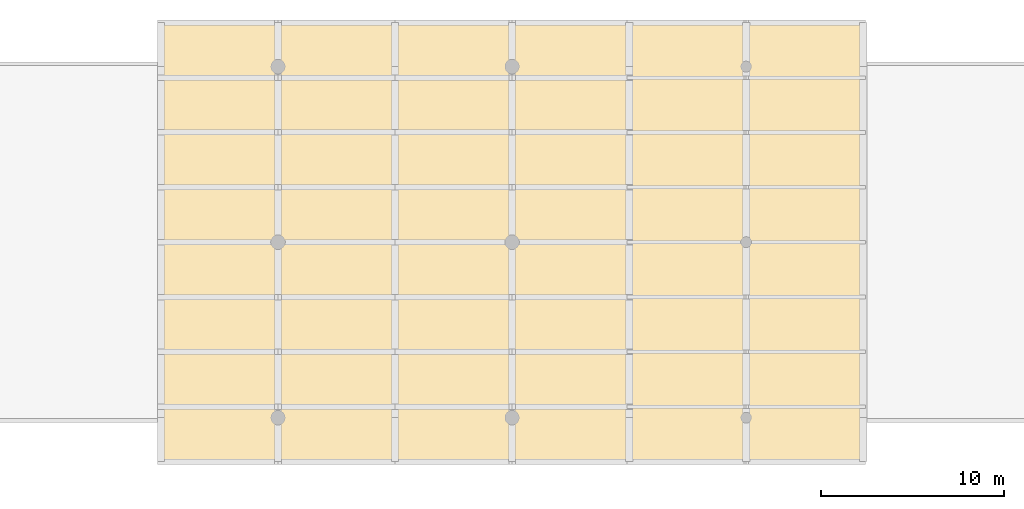
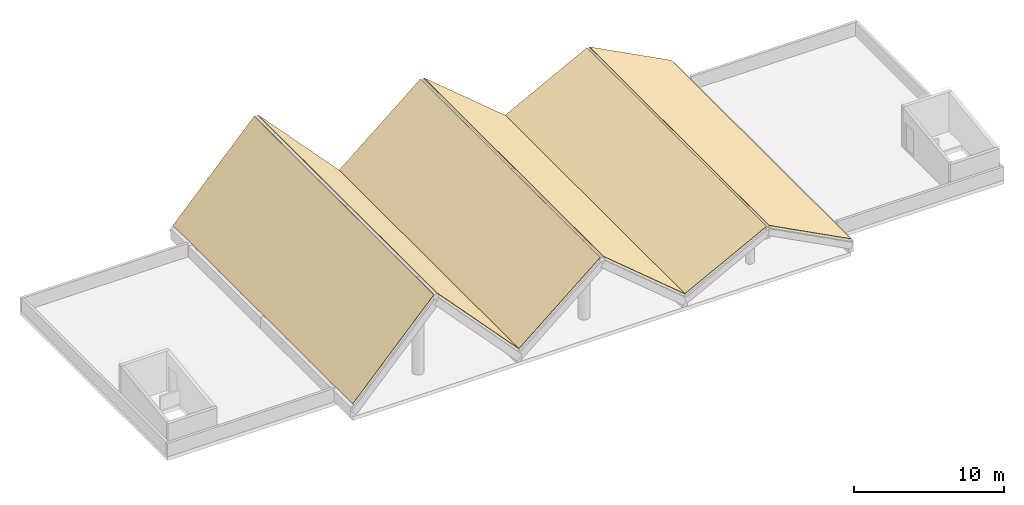
# One storey, part 3 of 3: 6 coverings.
"""IFC4 building model written with IfcOpenShell, lengths in metres."""

from ifc_helpers import new_model, si_unit, direction, frame, origin, place, context, subcontext, project, spatial, polyline, outline, extrude, material, layer, layer_set, type_object, element, save


model = new_model("IFC4")

# Units and contexts
model_context = context("Model", 3, precision=1e-05, world=origin(), true_north=direction((0.0, 1.0)))
body_context = subcontext(model_context, "Body", "Model", "MODEL_VIEW")
ifc_project = project(units=[si_unit("LENGTHUNIT", "METRE"), si_unit("AREAUNIT", "SQUARE_METRE"), si_unit("VOLUMEUNIT", "CUBIC_METRE"), si_unit("PLANEANGLEUNIT", "RADIAN"), si_unit("MASSUNIT", "GRAM", prefix="KILO")], contexts=[model_context])

# Site, building, storey
site_placement = place(None, origin())
site = spatial("IfcSite", under=ifc_project, at=site_placement, CompositionType="ELEMENT")
building_placement = place(site_placement, origin())
building = spatial("IfcBuilding", under=site, at=building_placement, Name="Fogon Plaza Fire Station and Headquarters Tower", CompositionType="ELEMENT")
storey_placement = place(building_placement, frame((0.0, 0.0, 69.300048828125)))
storey = spatial("IfcBuildingStorey", under=building, at=storey_placement, Name="ROOF", CompositionType="ELEMENT", Elevation=69.300048828125)

# Coverings
ifc_material = material(Name="Standing seam zinc roofing")
ifc_layer = layer(ifc_material, 0.030029296875)
ifc_layer_set = layer_set([ifc_layer], Name="Standing seam zinc roofing")
covering_type = type_object("IfcCoveringType", Name="Crown Standing Seam Zinc 30", PredefinedType="ROOFING", material=ifc_layer_set)
for number, where, z_axis, x_axis, name in (
    (1, (25.578125, 31.199951171875, 1.370361328125), (-0.730716289719, 0.0, 0.682681260867), (0.682681260867, 0.0, 0.730716289719), "Roofing RM3 crown-1"),
    (2, (32.1416015625, 31.199951171875, 8.092529296875), (0.730716289719, 0.0, 0.682681260867), (0.682681260867, 0.0, -0.730716289719), "Roofing RM3 crown-2"),
):
    element("IfcCovering", number, at=place(storey_placement, frame(where, z_axis=z_axis, x_axis=x_axis)), inside=storey, type_object=covering_type, Name=name, PredefinedType="ROOFING", context=body_context, shape_type="SweptSolid", body=[
        extrude(outline(polyline([(0.0, 0.0), (9.199422625896506, 0.0), (9.199422625896506, 24.0), (0.0, 24.0), (0.0, 0.0)])), origin(), (0.0, 0.0, -1.0), 0.030029296875),
    ])
for number, where, z_axis, x_axis, name in (
    (3, (38.380859375, 31.199951171875, 1.373046875), (-0.64136923481, 0.0, 0.767232366783), (0.767232366783, 0.0, 0.64136923481), "Roofing RM3 crown-3"),
    (4, (44.925537109375, 31.199951171875, 6.63427734375), (0.64136923481, 0.0, 0.767232366783), (0.767232366783, 0.0, -0.64136923481), "Roofing RM3 crown-4"),
):
    element("IfcCovering", number, at=place(storey_placement, frame(where, z_axis=z_axis, x_axis=x_axis)), inside=storey, type_object=covering_type, Name=name, PredefinedType="ROOFING", context=body_context, shape_type="SweptSolid", body=[
        extrude(outline(polyline([(0.0, 0.0), (8.203122605822987, 0.0), (8.203122605822987, 24.0), (0.0, 24.0), (0.0, 0.0)])), origin(), (0.0, 0.0, -1.0), 0.030029296875),
    ])
for number, where, z_axis, x_axis, name in (
    (5, (51.18603515625, 31.199951171875, 1.37646484375), (-0.463740992851, 0.0, 0.885970818678), (0.885970818678, 0.0, 0.463740992851), "Roofing RM3 crown-5"),
    (6, (57.693359375, 31.199951171875, 4.684814453125), (0.463740992851, 0.0, 0.885970818678), (0.885970818678, 0.0, -0.463740992851), "Roofing RM3 crown-6"),
):
    element("IfcCovering", number, at=place(storey_placement, frame(where, z_axis=z_axis, x_axis=x_axis)), inside=storey, type_object=covering_type, Name=name, PredefinedType="ROOFING", context=body_context, shape_type="SweptSolid", body=[
        extrude(outline(polyline([(0.0, 0.0), (7.1340460739471325, 0.0), (7.1340460739471325, 24.0), (0.0, 24.0), (0.0, 0.0)])), origin(), (0.0, 0.0, -1.0), 0.030029296875),
    ])

save(model, "model.ifc")
